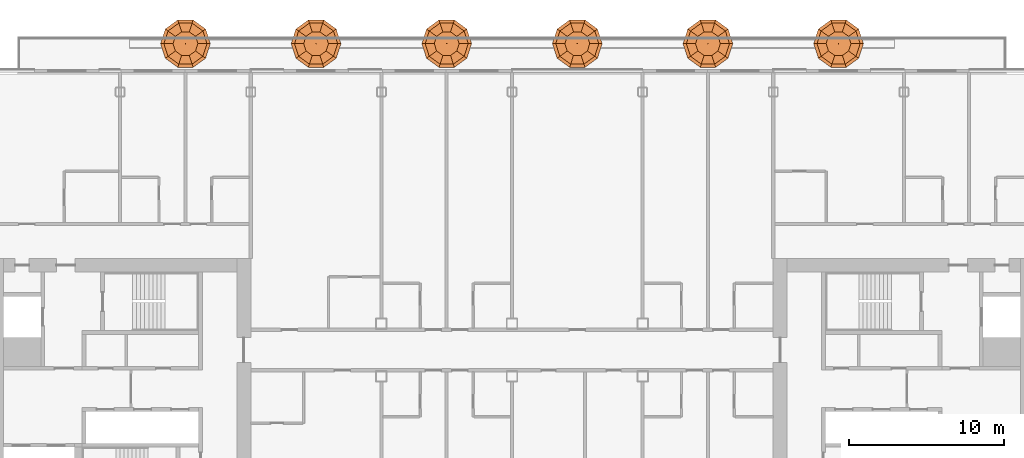
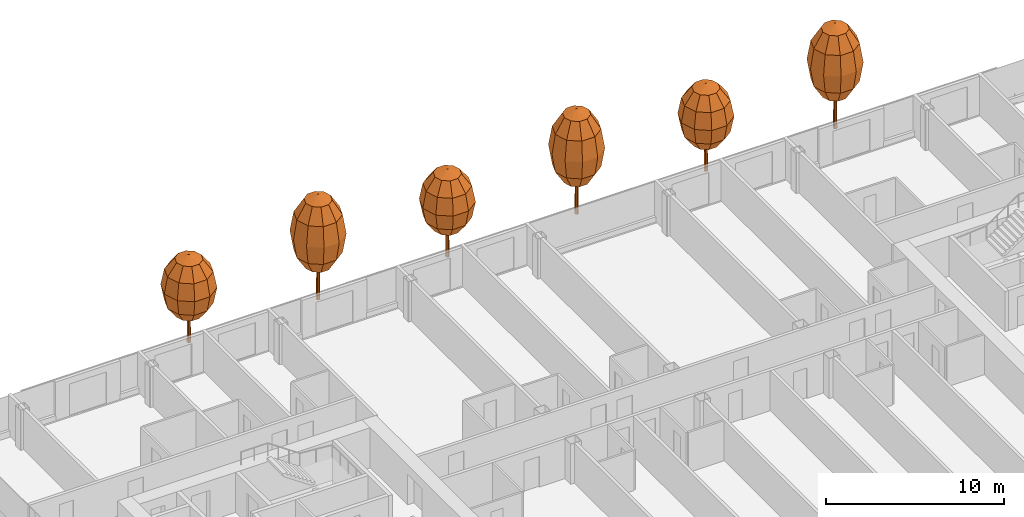
# One storey, part 28 of 28: 6 geographic elements.
"""IFC4 building model written with IfcOpenShell, lengths in metres."""

from ifc_helpers import new_model, si_unit, direction, frame, origin, place, context, subcontext, project, spatial, triangles, material, type_object, element, save


model = new_model("IFC4")

# Units and contexts
model_context = context("Model", 3, precision=1e-05, world=origin(), true_north=direction((0.0, 1.0)))
body_context = subcontext(model_context, "Body", "Model", "MODEL_VIEW")
ifc_project = project(units=[si_unit("LENGTHUNIT", "METRE"), si_unit("AREAUNIT", "SQUARE_METRE"), si_unit("VOLUMEUNIT", "CUBIC_METRE"), si_unit("PLANEANGLEUNIT", "RADIAN"), si_unit("MASSUNIT", "GRAM", prefix="KILO")], contexts=[model_context])

# Site, building, storey
site_placement = place(None, origin())
site = spatial("IfcSite", under=ifc_project, at=site_placement, CompositionType="ELEMENT")
building_placement = place(site_placement, origin())
building = spatial("IfcBuilding", under=site, at=building_placement, Name="Hakoniwa Tower and Hamabe Station Hall", CompositionType="ELEMENT")
storey_placement = place(building_placement, frame((0.0, 0.0, 193.0)))
storey = spatial("IfcBuildingStorey", under=building, at=storey_placement, Name="L54", CompositionType="ELEMENT", Elevation=193.0)

# Geographic elements
ifc_material_1 = material(Name="Tree foliage")
geographic_element_type_1 = type_object("IfcGeographicElementType", Name="Japanese maple 7.2 m", PredefinedType="USERDEFINED", material=ifc_material_1)
geographic_element_1_placement = place(storey_placement, frame((-12.60009765625, 22.199951171875, 0.89990234375)))
element("IfcGeographicElement", 1, at=geographic_element_1_placement, inside=storey, type_object=geographic_element_type_1, Name="Japanese maple 7-2 m", ObjectType="TREE", PredefinedType="USERDEFINED", context=body_context, shape_type="Tessellation", body=[
    triangles([(0.125, 0.0, 0.0), (0.08837890625, 0.08837890625, 0.0), (0.0, 0.125, 0.0), (-0.08837890625, 0.08837890625, 0.0), (-0.125, 0.0, 0.0), (-0.08837890625, -0.08837890625, 0.0), (0.0, -0.125, 0.0), (0.08837890625, -0.08837890625, 0.0), (0.074951171875, 0.0, 4.348876953125), (0.052978515625, 0.052978515625, 4.348876953125), (0.0, 0.074951171875, 4.348876953125), (-0.052978515625, 0.052978515625, 4.348876953125), (-0.074951171875, 0.0, 4.348876953125), (-0.052978515625, -0.052978515625, 4.348876953125), (0.0, -0.074951171875, 4.348876953125), (0.052978515625, -0.052978515625, 4.348876953125), (0.0, 0.0, 0.0), (0.0, 0.0, 4.348876953125)], [[1, 2, 10], [1, 10, 9], [17, 2, 1], [18, 9, 10], [2, 3, 11], [2, 11, 10], [17, 3, 2], [18, 10, 11], [3, 4, 12], [3, 12, 11], [17, 4, 3], [18, 11, 12], [4, 5, 13], [4, 13, 12], [17, 5, 4], [18, 12, 13], [5, 6, 14], [5, 14, 13], [17, 6, 5], [18, 13, 14], [6, 7, 15], [6, 15, 14], [17, 7, 6], [18, 14, 15], [7, 8, 16], [7, 16, 15], [17, 8, 7], [18, 15, 16], [8, 1, 9], [8, 9, 16], [17, 1, 8], [18, 16, 9]], closed=True),
    triangles([(0.0, 0.0, 2.015869140625), (0.800048828125, 0.0, 2.36328125), (0.647216796875, 0.47021484375, 2.36328125), (0.247314453125, 0.7607421875, 2.36328125), (-0.247314453125, 0.7607421875, 2.36328125), (-0.647216796875, 0.47021484375, 2.36328125), (-0.800048828125, 0.0, 2.36328125), (-0.647216796875, -0.47021484375, 2.36328125), (-0.247314453125, -0.7607421875, 2.36328125), (0.247314453125, -0.7607421875, 2.36328125), (0.647216796875, -0.47021484375, 2.36328125), (1.385498046875, 0.0, 3.31201171875), (1.12109375, 0.814453125, 3.31201171875), (0.42822265625, 1.31787109375, 3.31201171875), (-0.42822265625, 1.31787109375, 3.31201171875), (-1.12109375, 0.814453125, 3.31201171875), (-1.385498046875, 0.0, 3.31201171875), (-1.12109375, -0.814453125, 3.31201171875), (-0.42822265625, -1.31787109375, 3.31201171875), (0.42822265625, -1.31787109375, 3.31201171875), (1.12109375, -0.814453125, 3.31201171875), (1.60009765625, 0.0, 4.60791015625), (1.29443359375, 0.9404296875, 4.60791015625), (0.494384765625, 1.521728515625, 4.60791015625), (-0.494384765625, 1.521728515625, 4.60791015625), (-1.29443359375, 0.9404296875, 4.60791015625), (-1.60009765625, 0.0, 4.60791015625), (-1.29443359375, -0.9404296875, 4.60791015625), (-0.494384765625, -1.521728515625, 4.60791015625), (0.494384765625, -1.521728515625, 4.60791015625), (1.29443359375, -0.9404296875, 4.60791015625), (1.385498046875, 0.0, 5.904052734375), (1.12109375, 0.814453125, 5.904052734375), (0.42822265625, 1.31787109375, 5.904052734375), (-0.42822265625, 1.31787109375, 5.904052734375), (-1.12109375, 0.814453125, 5.904052734375), (-1.385498046875, 0.0, 5.904052734375), (-1.12109375, -0.814453125, 5.904052734375), (-0.42822265625, -1.31787109375, 5.904052734375), (0.42822265625, -1.31787109375, 5.904052734375), (1.12109375, -0.814453125, 5.904052734375), (0.800048828125, 0.0, 6.852783203125), (0.647216796875, 0.47021484375, 6.852783203125), (0.247314453125, 0.7607421875, 6.852783203125), (-0.247314453125, 0.7607421875, 6.852783203125), (-0.647216796875, 0.47021484375, 6.852783203125), (-0.800048828125, 0.0, 6.852783203125), (-0.647216796875, -0.47021484375, 6.852783203125), (-0.247314453125, -0.7607421875, 6.852783203125), (0.247314453125, -0.7607421875, 6.852783203125), (0.647216796875, -0.47021484375, 6.852783203125), (0.0, 0.0, 7.199951171875)], [[1, 3, 2], [1, 4, 3], [1, 5, 4], [1, 6, 5], [1, 7, 6], [1, 8, 7], [1, 9, 8], [1, 10, 9], [1, 11, 10], [1, 2, 11], [2, 3, 13], [2, 13, 12], [3, 4, 14], [3, 14, 13], [4, 5, 15], [4, 15, 14], [5, 6, 16], [5, 16, 15], [6, 7, 17], [6, 17, 16], [7, 8, 18], [7, 18, 17], [8, 9, 19], [8, 19, 18], [9, 10, 20], [9, 20, 19], [10, 11, 21], [10, 21, 20], [11, 2, 12], [11, 12, 21], [12, 13, 23], [12, 23, 22], [13, 14, 24], [13, 24, 23], [14, 15, 25], [14, 25, 24], [15, 16, 26], [15, 26, 25], [16, 17, 27], [16, 27, 26], [17, 18, 28], [17, 28, 27], [18, 19, 29], [18, 29, 28], [19, 20, 30], [19, 30, 29], [20, 21, 31], [20, 31, 30], [21, 12, 22], [21, 22, 31], [22, 23, 33], [22, 33, 32], [23, 24, 34], [23, 34, 33], [24, 25, 35], [24, 35, 34], [25, 26, 36], [25, 36, 35], [26, 27, 37], [26, 37, 36], [27, 28, 38], [27, 38, 37], [28, 29, 39], [28, 39, 38], [29, 30, 40], [29, 40, 39], [30, 31, 41], [30, 41, 40], [31, 22, 32], [31, 32, 41], [32, 33, 43], [32, 43, 42], [33, 34, 44], [33, 44, 43], [34, 35, 45], [34, 45, 44], [35, 36, 46], [35, 46, 45], [36, 37, 47], [36, 47, 46], [37, 38, 48], [37, 48, 47], [38, 39, 49], [38, 49, 48], [39, 40, 50], [39, 50, 49], [40, 41, 51], [40, 51, 50], [41, 32, 42], [41, 42, 51], [52, 42, 43], [52, 43, 44], [52, 44, 45], [52, 45, 46], [52, 46, 47], [52, 47, 48], [52, 48, 49], [52, 49, 50], [52, 50, 51], [52, 51, 42]], closed=True),
])
geographic_element_2_placement = place(storey_placement, frame((4.199951171875, 22.199951171875, 0.89990234375)))
element("IfcGeographicElement", 2, at=geographic_element_2_placement, inside=storey, type_object=geographic_element_type_1, Name="Japanese maple 7-2 m", ObjectType="TREE", PredefinedType="USERDEFINED", context=body_context, shape_type="Tessellation", body=[
    triangles([(0.125, 0.0, 0.0), (0.08837890625, 0.08837890625, 0.0), (0.0, 0.125, 0.0), (-0.08837890625, 0.08837890625, 0.0), (-0.125, 0.0, 0.0), (-0.08837890625, -0.08837890625, 0.0), (0.0, -0.125, 0.0), (0.08837890625, -0.08837890625, 0.0), (0.074951171875, 0.0, 4.348876953125), (0.052978515625, 0.052978515625, 4.348876953125), (0.0, 0.074951171875, 4.348876953125), (-0.052978515625, 0.052978515625, 4.348876953125), (-0.074951171875, 0.0, 4.348876953125), (-0.052978515625, -0.052978515625, 4.348876953125), (0.0, -0.074951171875, 4.348876953125), (0.052978515625, -0.052978515625, 4.348876953125), (0.0, 0.0, 0.0), (0.0, 0.0, 4.348876953125)], [[1, 2, 10], [1, 10, 9], [17, 2, 1], [18, 9, 10], [2, 3, 11], [2, 11, 10], [17, 3, 2], [18, 10, 11], [3, 4, 12], [3, 12, 11], [17, 4, 3], [18, 11, 12], [4, 5, 13], [4, 13, 12], [17, 5, 4], [18, 12, 13], [5, 6, 14], [5, 14, 13], [17, 6, 5], [18, 13, 14], [6, 7, 15], [6, 15, 14], [17, 7, 6], [18, 14, 15], [7, 8, 16], [7, 16, 15], [17, 8, 7], [18, 15, 16], [8, 1, 9], [8, 9, 16], [17, 1, 8], [18, 16, 9]], closed=True),
    triangles([(0.0, 0.0, 2.015869140625), (0.800048828125, 0.0, 2.36328125), (0.647216796875, 0.47021484375, 2.36328125), (0.247314453125, 0.7607421875, 2.36328125), (-0.247314453125, 0.7607421875, 2.36328125), (-0.647216796875, 0.47021484375, 2.36328125), (-0.800048828125, 0.0, 2.36328125), (-0.647216796875, -0.47021484375, 2.36328125), (-0.247314453125, -0.7607421875, 2.36328125), (0.247314453125, -0.7607421875, 2.36328125), (0.647216796875, -0.47021484375, 2.36328125), (1.385498046875, 0.0, 3.31201171875), (1.12109375, 0.814453125, 3.31201171875), (0.42822265625, 1.31787109375, 3.31201171875), (-0.42822265625, 1.31787109375, 3.31201171875), (-1.12109375, 0.814453125, 3.31201171875), (-1.385498046875, 0.0, 3.31201171875), (-1.12109375, -0.814453125, 3.31201171875), (-0.42822265625, -1.31787109375, 3.31201171875), (0.42822265625, -1.31787109375, 3.31201171875), (1.12109375, -0.814453125, 3.31201171875), (1.60009765625, 0.0, 4.60791015625), (1.29443359375, 0.9404296875, 4.60791015625), (0.494384765625, 1.521728515625, 4.60791015625), (-0.494384765625, 1.521728515625, 4.60791015625), (-1.29443359375, 0.9404296875, 4.60791015625), (-1.60009765625, 0.0, 4.60791015625), (-1.29443359375, -0.9404296875, 4.60791015625), (-0.494384765625, -1.521728515625, 4.60791015625), (0.494384765625, -1.521728515625, 4.60791015625), (1.29443359375, -0.9404296875, 4.60791015625), (1.385498046875, 0.0, 5.904052734375), (1.12109375, 0.814453125, 5.904052734375), (0.42822265625, 1.31787109375, 5.904052734375), (-0.42822265625, 1.31787109375, 5.904052734375), (-1.12109375, 0.814453125, 5.904052734375), (-1.385498046875, 0.0, 5.904052734375), (-1.12109375, -0.814453125, 5.904052734375), (-0.42822265625, -1.31787109375, 5.904052734375), (0.42822265625, -1.31787109375, 5.904052734375), (1.12109375, -0.814453125, 5.904052734375), (0.800048828125, 0.0, 6.852783203125), (0.647216796875, 0.47021484375, 6.852783203125), (0.247314453125, 0.7607421875, 6.852783203125), (-0.247314453125, 0.7607421875, 6.852783203125), (-0.647216796875, 0.47021484375, 6.852783203125), (-0.800048828125, 0.0, 6.852783203125), (-0.647216796875, -0.47021484375, 6.852783203125), (-0.247314453125, -0.7607421875, 6.852783203125), (0.247314453125, -0.7607421875, 6.852783203125), (0.647216796875, -0.47021484375, 6.852783203125), (0.0, 0.0, 7.199951171875)], [[1, 3, 2], [1, 4, 3], [1, 5, 4], [1, 6, 5], [1, 7, 6], [1, 8, 7], [1, 9, 8], [1, 10, 9], [1, 11, 10], [1, 2, 11], [2, 3, 13], [2, 13, 12], [3, 4, 14], [3, 14, 13], [4, 5, 15], [4, 15, 14], [5, 6, 16], [5, 16, 15], [6, 7, 17], [6, 17, 16], [7, 8, 18], [7, 18, 17], [8, 9, 19], [8, 19, 18], [9, 10, 20], [9, 20, 19], [10, 11, 21], [10, 21, 20], [11, 2, 12], [11, 12, 21], [12, 13, 23], [12, 23, 22], [13, 14, 24], [13, 24, 23], [14, 15, 25], [14, 25, 24], [15, 16, 26], [15, 26, 25], [16, 17, 27], [16, 27, 26], [17, 18, 28], [17, 28, 27], [18, 19, 29], [18, 29, 28], [19, 20, 30], [19, 30, 29], [20, 21, 31], [20, 31, 30], [21, 12, 22], [21, 22, 31], [22, 23, 33], [22, 33, 32], [23, 24, 34], [23, 34, 33], [24, 25, 35], [24, 35, 34], [25, 26, 36], [25, 36, 35], [26, 27, 37], [26, 37, 36], [27, 28, 38], [27, 38, 37], [28, 29, 39], [28, 39, 38], [29, 30, 40], [29, 40, 39], [30, 31, 41], [30, 41, 40], [31, 22, 32], [31, 32, 41], [32, 33, 43], [32, 43, 42], [33, 34, 44], [33, 44, 43], [34, 35, 45], [34, 45, 44], [35, 36, 46], [35, 46, 45], [36, 37, 47], [36, 47, 46], [37, 38, 48], [37, 48, 47], [38, 39, 49], [38, 49, 48], [39, 40, 50], [39, 50, 49], [40, 41, 51], [40, 51, 50], [41, 32, 42], [41, 42, 51], [52, 42, 43], [52, 43, 44], [52, 44, 45], [52, 45, 46], [52, 46, 47], [52, 47, 48], [52, 48, 49], [52, 49, 50], [52, 50, 51], [52, 51, 42]], closed=True),
])
geographic_element_3_placement = place(storey_placement, frame((21.0, 22.199951171875, 0.89990234375)))
element("IfcGeographicElement", 3, at=geographic_element_3_placement, inside=storey, type_object=geographic_element_type_1, Name="Japanese maple 7-2 m", ObjectType="TREE", PredefinedType="USERDEFINED", context=body_context, shape_type="Tessellation", body=[
    triangles([(0.125, 0.0, 0.0), (0.08837890625, 0.08837890625, 0.0), (0.0, 0.125, 0.0), (-0.08837890625, 0.08837890625, 0.0), (-0.125, 0.0, 0.0), (-0.08837890625, -0.08837890625, 0.0), (0.0, -0.125, 0.0), (0.08837890625, -0.08837890625, 0.0), (0.074951171875, 0.0, 4.348876953125), (0.052978515625, 0.052978515625, 4.348876953125), (0.0, 0.074951171875, 4.348876953125), (-0.052978515625, 0.052978515625, 4.348876953125), (-0.074951171875, 0.0, 4.348876953125), (-0.052978515625, -0.052978515625, 4.348876953125), (0.0, -0.074951171875, 4.348876953125), (0.052978515625, -0.052978515625, 4.348876953125), (0.0, 0.0, 0.0), (0.0, 0.0, 4.348876953125)], [[1, 2, 10], [1, 10, 9], [17, 2, 1], [18, 9, 10], [2, 3, 11], [2, 11, 10], [17, 3, 2], [18, 10, 11], [3, 4, 12], [3, 12, 11], [17, 4, 3], [18, 11, 12], [4, 5, 13], [4, 13, 12], [17, 5, 4], [18, 12, 13], [5, 6, 14], [5, 14, 13], [17, 6, 5], [18, 13, 14], [6, 7, 15], [6, 15, 14], [17, 7, 6], [18, 14, 15], [7, 8, 16], [7, 16, 15], [17, 8, 7], [18, 15, 16], [8, 1, 9], [8, 9, 16], [17, 1, 8], [18, 16, 9]], closed=True),
    triangles([(0.0, 0.0, 2.015869140625), (0.800048828125, 0.0, 2.36328125), (0.647216796875, 0.47021484375, 2.36328125), (0.247314453125, 0.7607421875, 2.36328125), (-0.247314453125, 0.7607421875, 2.36328125), (-0.647216796875, 0.47021484375, 2.36328125), (-0.800048828125, 0.0, 2.36328125), (-0.647216796875, -0.47021484375, 2.36328125), (-0.247314453125, -0.7607421875, 2.36328125), (0.247314453125, -0.7607421875, 2.36328125), (0.647216796875, -0.47021484375, 2.36328125), (1.385498046875, 0.0, 3.31201171875), (1.12109375, 0.814453125, 3.31201171875), (0.42822265625, 1.31787109375, 3.31201171875), (-0.42822265625, 1.31787109375, 3.31201171875), (-1.12109375, 0.814453125, 3.31201171875), (-1.385498046875, 0.0, 3.31201171875), (-1.12109375, -0.814453125, 3.31201171875), (-0.42822265625, -1.31787109375, 3.31201171875), (0.42822265625, -1.31787109375, 3.31201171875), (1.12109375, -0.814453125, 3.31201171875), (1.60009765625, 0.0, 4.60791015625), (1.29443359375, 0.9404296875, 4.60791015625), (0.494384765625, 1.521728515625, 4.60791015625), (-0.494384765625, 1.521728515625, 4.60791015625), (-1.29443359375, 0.9404296875, 4.60791015625), (-1.60009765625, 0.0, 4.60791015625), (-1.29443359375, -0.9404296875, 4.60791015625), (-0.494384765625, -1.521728515625, 4.60791015625), (0.494384765625, -1.521728515625, 4.60791015625), (1.29443359375, -0.9404296875, 4.60791015625), (1.385498046875, 0.0, 5.904052734375), (1.12109375, 0.814453125, 5.904052734375), (0.42822265625, 1.31787109375, 5.904052734375), (-0.42822265625, 1.31787109375, 5.904052734375), (-1.12109375, 0.814453125, 5.904052734375), (-1.385498046875, 0.0, 5.904052734375), (-1.12109375, -0.814453125, 5.904052734375), (-0.42822265625, -1.31787109375, 5.904052734375), (0.42822265625, -1.31787109375, 5.904052734375), (1.12109375, -0.814453125, 5.904052734375), (0.800048828125, 0.0, 6.852783203125), (0.647216796875, 0.47021484375, 6.852783203125), (0.247314453125, 0.7607421875, 6.852783203125), (-0.247314453125, 0.7607421875, 6.852783203125), (-0.647216796875, 0.47021484375, 6.852783203125), (-0.800048828125, 0.0, 6.852783203125), (-0.647216796875, -0.47021484375, 6.852783203125), (-0.247314453125, -0.7607421875, 6.852783203125), (0.247314453125, -0.7607421875, 6.852783203125), (0.647216796875, -0.47021484375, 6.852783203125), (0.0, 0.0, 7.199951171875)], [[1, 3, 2], [1, 4, 3], [1, 5, 4], [1, 6, 5], [1, 7, 6], [1, 8, 7], [1, 9, 8], [1, 10, 9], [1, 11, 10], [1, 2, 11], [2, 3, 13], [2, 13, 12], [3, 4, 14], [3, 14, 13], [4, 5, 15], [4, 15, 14], [5, 6, 16], [5, 16, 15], [6, 7, 17], [6, 17, 16], [7, 8, 18], [7, 18, 17], [8, 9, 19], [8, 19, 18], [9, 10, 20], [9, 20, 19], [10, 11, 21], [10, 21, 20], [11, 2, 12], [11, 12, 21], [12, 13, 23], [12, 23, 22], [13, 14, 24], [13, 24, 23], [14, 15, 25], [14, 25, 24], [15, 16, 26], [15, 26, 25], [16, 17, 27], [16, 27, 26], [17, 18, 28], [17, 28, 27], [18, 19, 29], [18, 29, 28], [19, 20, 30], [19, 30, 29], [20, 21, 31], [20, 31, 30], [21, 12, 22], [21, 22, 31], [22, 23, 33], [22, 33, 32], [23, 24, 34], [23, 34, 33], [24, 25, 35], [24, 35, 34], [25, 26, 36], [25, 36, 35], [26, 27, 37], [26, 37, 36], [27, 28, 38], [27, 38, 37], [28, 29, 39], [28, 39, 38], [29, 30, 40], [29, 40, 39], [30, 31, 41], [30, 41, 40], [31, 22, 32], [31, 32, 41], [32, 33, 43], [32, 43, 42], [33, 34, 44], [33, 44, 43], [34, 35, 45], [34, 45, 44], [35, 36, 46], [35, 46, 45], [36, 37, 47], [36, 47, 46], [37, 38, 48], [37, 48, 47], [38, 39, 49], [38, 49, 48], [39, 40, 50], [39, 50, 49], [40, 41, 51], [40, 51, 50], [41, 32, 42], [41, 42, 51], [52, 42, 43], [52, 43, 44], [52, 44, 45], [52, 45, 46], [52, 46, 47], [52, 47, 48], [52, 48, 49], [52, 49, 50], [52, 50, 51], [52, 51, 42]], closed=True),
])
ifc_material_2 = material(Name="Tree foliage")
geographic_element_type_2 = type_object("IfcGeographicElementType", Name="Osmanthus 6.0 m", PredefinedType="USERDEFINED", material=ifc_material_2)
geographic_element_4_placement = place(storey_placement, frame((-21.0, 22.199951171875, 0.89990234375)))
element("IfcGeographicElement", 4, at=geographic_element_4_placement, inside=storey, type_object=geographic_element_type_2, Name="Osmanthus 6-0 m", ObjectType="TREE", PredefinedType="USERDEFINED", context=body_context, shape_type="Tessellation", body=[
    triangles([(0.125, 0.0, 0.0), (0.08837890625, 0.08837890625, 0.0), (0.0, 0.125, 0.0), (-0.08837890625, 0.08837890625, 0.0), (-0.125, 0.0, 0.0), (-0.08837890625, -0.08837890625, 0.0), (0.0, -0.125, 0.0), (0.08837890625, -0.08837890625, 0.0), (0.074951171875, 0.0, 3.6240234375), (0.052978515625, 0.052978515625, 3.6240234375), (0.0, 0.074951171875, 3.6240234375), (-0.052978515625, 0.052978515625, 3.6240234375), (-0.074951171875, 0.0, 3.6240234375), (-0.052978515625, -0.052978515625, 3.6240234375), (0.0, -0.074951171875, 3.6240234375), (0.052978515625, -0.052978515625, 3.6240234375), (0.0, 0.0, 0.0), (0.0, 0.0, 3.6240234375)], [[1, 2, 10], [1, 10, 9], [17, 2, 1], [18, 9, 10], [2, 3, 11], [2, 11, 10], [17, 3, 2], [18, 10, 11], [3, 4, 12], [3, 12, 11], [17, 4, 3], [18, 11, 12], [4, 5, 13], [4, 13, 12], [17, 5, 4], [18, 12, 13], [5, 6, 14], [5, 14, 13], [17, 6, 5], [18, 13, 14], [6, 7, 15], [6, 15, 14], [17, 7, 6], [18, 14, 15], [7, 8, 16], [7, 16, 15], [17, 8, 7], [18, 15, 16], [8, 1, 9], [8, 9, 16], [17, 1, 8], [18, 16, 9]], closed=True),
    triangles([(0.0, 0.0, 1.679931640625), (0.800048828125, 0.0, 1.969482421875), (0.647216796875, 0.47021484375, 1.969482421875), (0.247314453125, 0.7607421875, 1.969482421875), (-0.247314453125, 0.7607421875, 1.969482421875), (-0.647216796875, 0.47021484375, 1.969482421875), (-0.800048828125, 0.0, 1.969482421875), (-0.647216796875, -0.47021484375, 1.969482421875), (-0.247314453125, -0.7607421875, 1.969482421875), (0.247314453125, -0.7607421875, 1.969482421875), (0.647216796875, -0.47021484375, 1.969482421875), (1.385498046875, 0.0, 2.760009765625), (1.12109375, 0.814453125, 2.760009765625), (0.42822265625, 1.31787109375, 2.760009765625), (-0.42822265625, 1.31787109375, 2.760009765625), (-1.12109375, 0.814453125, 2.760009765625), (-1.385498046875, 0.0, 2.760009765625), (-1.12109375, -0.814453125, 2.760009765625), (-0.42822265625, -1.31787109375, 2.760009765625), (0.42822265625, -1.31787109375, 2.760009765625), (1.12109375, -0.814453125, 2.760009765625), (1.60009765625, 0.0, 3.840087890625), (1.29443359375, 0.9404296875, 3.840087890625), (0.494384765625, 1.521728515625, 3.840087890625), (-0.494384765625, 1.521728515625, 3.840087890625), (-1.29443359375, 0.9404296875, 3.840087890625), (-1.60009765625, 0.0, 3.840087890625), (-1.29443359375, -0.9404296875, 3.840087890625), (-0.494384765625, -1.521728515625, 3.840087890625), (0.494384765625, -1.521728515625, 3.840087890625), (1.29443359375, -0.9404296875, 3.840087890625), (1.385498046875, 0.0, 4.919921875), (1.12109375, 0.814453125, 4.919921875), (0.42822265625, 1.31787109375, 4.919921875), (-0.42822265625, 1.31787109375, 4.919921875), (-1.12109375, 0.814453125, 4.919921875), (-1.385498046875, 0.0, 4.919921875), (-1.12109375, -0.814453125, 4.919921875), (-0.42822265625, -1.31787109375, 4.919921875), (0.42822265625, -1.31787109375, 4.919921875), (1.12109375, -0.814453125, 4.919921875), (0.800048828125, 0.0, 5.710693359375), (0.647216796875, 0.47021484375, 5.710693359375), (0.247314453125, 0.7607421875, 5.710693359375), (-0.247314453125, 0.7607421875, 5.710693359375), (-0.647216796875, 0.47021484375, 5.710693359375), (-0.800048828125, 0.0, 5.710693359375), (-0.647216796875, -0.47021484375, 5.710693359375), (-0.247314453125, -0.7607421875, 5.710693359375), (0.247314453125, -0.7607421875, 5.710693359375), (0.647216796875, -0.47021484375, 5.710693359375), (0.0, 0.0, 6.0)], [[1, 3, 2], [1, 4, 3], [1, 5, 4], [1, 6, 5], [1, 7, 6], [1, 8, 7], [1, 9, 8], [1, 10, 9], [1, 11, 10], [1, 2, 11], [2, 3, 13], [2, 13, 12], [3, 4, 14], [3, 14, 13], [4, 5, 15], [4, 15, 14], [5, 6, 16], [5, 16, 15], [6, 7, 17], [6, 17, 16], [7, 8, 18], [7, 18, 17], [8, 9, 19], [8, 19, 18], [9, 10, 20], [9, 20, 19], [10, 11, 21], [10, 21, 20], [11, 2, 12], [11, 12, 21], [12, 13, 23], [12, 23, 22], [13, 14, 24], [13, 24, 23], [14, 15, 25], [14, 25, 24], [15, 16, 26], [15, 26, 25], [16, 17, 27], [16, 27, 26], [17, 18, 28], [17, 28, 27], [18, 19, 29], [18, 29, 28], [19, 20, 30], [19, 30, 29], [20, 21, 31], [20, 31, 30], [21, 12, 22], [21, 22, 31], [22, 23, 33], [22, 33, 32], [23, 24, 34], [23, 34, 33], [24, 25, 35], [24, 35, 34], [25, 26, 36], [25, 36, 35], [26, 27, 37], [26, 37, 36], [27, 28, 38], [27, 38, 37], [28, 29, 39], [28, 39, 38], [29, 30, 40], [29, 40, 39], [30, 31, 41], [30, 41, 40], [31, 22, 32], [31, 32, 41], [32, 33, 43], [32, 43, 42], [33, 34, 44], [33, 44, 43], [34, 35, 45], [34, 45, 44], [35, 36, 46], [35, 46, 45], [36, 37, 47], [36, 47, 46], [37, 38, 48], [37, 48, 47], [38, 39, 49], [38, 49, 48], [39, 40, 50], [39, 50, 49], [40, 41, 51], [40, 51, 50], [41, 32, 42], [41, 42, 51], [52, 42, 43], [52, 43, 44], [52, 44, 45], [52, 45, 46], [52, 46, 47], [52, 47, 48], [52, 48, 49], [52, 49, 50], [52, 50, 51], [52, 51, 42]], closed=True),
])
geographic_element_5_placement = place(storey_placement, frame((-4.199951171875, 22.199951171875, 0.89990234375)))
element("IfcGeographicElement", 5, at=geographic_element_5_placement, inside=storey, type_object=geographic_element_type_2, Name="Osmanthus 6-0 m", ObjectType="TREE", PredefinedType="USERDEFINED", context=body_context, shape_type="Tessellation", body=[
    triangles([(0.125, 0.0, 0.0), (0.08837890625, 0.08837890625, 0.0), (0.0, 0.125, 0.0), (-0.08837890625, 0.08837890625, 0.0), (-0.125, 0.0, 0.0), (-0.08837890625, -0.08837890625, 0.0), (0.0, -0.125, 0.0), (0.08837890625, -0.08837890625, 0.0), (0.074951171875, 0.0, 3.6240234375), (0.052978515625, 0.052978515625, 3.6240234375), (0.0, 0.074951171875, 3.6240234375), (-0.052978515625, 0.052978515625, 3.6240234375), (-0.074951171875, 0.0, 3.6240234375), (-0.052978515625, -0.052978515625, 3.6240234375), (0.0, -0.074951171875, 3.6240234375), (0.052978515625, -0.052978515625, 3.6240234375), (0.0, 0.0, 0.0), (0.0, 0.0, 3.6240234375)], [[1, 2, 10], [1, 10, 9], [17, 2, 1], [18, 9, 10], [2, 3, 11], [2, 11, 10], [17, 3, 2], [18, 10, 11], [3, 4, 12], [3, 12, 11], [17, 4, 3], [18, 11, 12], [4, 5, 13], [4, 13, 12], [17, 5, 4], [18, 12, 13], [5, 6, 14], [5, 14, 13], [17, 6, 5], [18, 13, 14], [6, 7, 15], [6, 15, 14], [17, 7, 6], [18, 14, 15], [7, 8, 16], [7, 16, 15], [17, 8, 7], [18, 15, 16], [8, 1, 9], [8, 9, 16], [17, 1, 8], [18, 16, 9]], closed=True),
    triangles([(0.0, 0.0, 1.679931640625), (0.800048828125, 0.0, 1.969482421875), (0.647216796875, 0.47021484375, 1.969482421875), (0.247314453125, 0.7607421875, 1.969482421875), (-0.247314453125, 0.7607421875, 1.969482421875), (-0.647216796875, 0.47021484375, 1.969482421875), (-0.800048828125, 0.0, 1.969482421875), (-0.647216796875, -0.47021484375, 1.969482421875), (-0.247314453125, -0.7607421875, 1.969482421875), (0.247314453125, -0.7607421875, 1.969482421875), (0.647216796875, -0.47021484375, 1.969482421875), (1.385498046875, 0.0, 2.760009765625), (1.12109375, 0.814453125, 2.760009765625), (0.42822265625, 1.31787109375, 2.760009765625), (-0.42822265625, 1.31787109375, 2.760009765625), (-1.12109375, 0.814453125, 2.760009765625), (-1.385498046875, 0.0, 2.760009765625), (-1.12109375, -0.814453125, 2.760009765625), (-0.42822265625, -1.31787109375, 2.760009765625), (0.42822265625, -1.31787109375, 2.760009765625), (1.12109375, -0.814453125, 2.760009765625), (1.60009765625, 0.0, 3.840087890625), (1.29443359375, 0.9404296875, 3.840087890625), (0.494384765625, 1.521728515625, 3.840087890625), (-0.494384765625, 1.521728515625, 3.840087890625), (-1.29443359375, 0.9404296875, 3.840087890625), (-1.60009765625, 0.0, 3.840087890625), (-1.29443359375, -0.9404296875, 3.840087890625), (-0.494384765625, -1.521728515625, 3.840087890625), (0.494384765625, -1.521728515625, 3.840087890625), (1.29443359375, -0.9404296875, 3.840087890625), (1.385498046875, 0.0, 4.919921875), (1.12109375, 0.814453125, 4.919921875), (0.42822265625, 1.31787109375, 4.919921875), (-0.42822265625, 1.31787109375, 4.919921875), (-1.12109375, 0.814453125, 4.919921875), (-1.385498046875, 0.0, 4.919921875), (-1.12109375, -0.814453125, 4.919921875), (-0.42822265625, -1.31787109375, 4.919921875), (0.42822265625, -1.31787109375, 4.919921875), (1.12109375, -0.814453125, 4.919921875), (0.800048828125, 0.0, 5.710693359375), (0.647216796875, 0.47021484375, 5.710693359375), (0.247314453125, 0.7607421875, 5.710693359375), (-0.247314453125, 0.7607421875, 5.710693359375), (-0.647216796875, 0.47021484375, 5.710693359375), (-0.800048828125, 0.0, 5.710693359375), (-0.647216796875, -0.47021484375, 5.710693359375), (-0.247314453125, -0.7607421875, 5.710693359375), (0.247314453125, -0.7607421875, 5.710693359375), (0.647216796875, -0.47021484375, 5.710693359375), (0.0, 0.0, 6.0)], [[1, 3, 2], [1, 4, 3], [1, 5, 4], [1, 6, 5], [1, 7, 6], [1, 8, 7], [1, 9, 8], [1, 10, 9], [1, 11, 10], [1, 2, 11], [2, 3, 13], [2, 13, 12], [3, 4, 14], [3, 14, 13], [4, 5, 15], [4, 15, 14], [5, 6, 16], [5, 16, 15], [6, 7, 17], [6, 17, 16], [7, 8, 18], [7, 18, 17], [8, 9, 19], [8, 19, 18], [9, 10, 20], [9, 20, 19], [10, 11, 21], [10, 21, 20], [11, 2, 12], [11, 12, 21], [12, 13, 23], [12, 23, 22], [13, 14, 24], [13, 24, 23], [14, 15, 25], [14, 25, 24], [15, 16, 26], [15, 26, 25], [16, 17, 27], [16, 27, 26], [17, 18, 28], [17, 28, 27], [18, 19, 29], [18, 29, 28], [19, 20, 30], [19, 30, 29], [20, 21, 31], [20, 31, 30], [21, 12, 22], [21, 22, 31], [22, 23, 33], [22, 33, 32], [23, 24, 34], [23, 34, 33], [24, 25, 35], [24, 35, 34], [25, 26, 36], [25, 36, 35], [26, 27, 37], [26, 37, 36], [27, 28, 38], [27, 38, 37], [28, 29, 39], [28, 39, 38], [29, 30, 40], [29, 40, 39], [30, 31, 41], [30, 41, 40], [31, 22, 32], [31, 32, 41], [32, 33, 43], [32, 43, 42], [33, 34, 44], [33, 44, 43], [34, 35, 45], [34, 45, 44], [35, 36, 46], [35, 46, 45], [36, 37, 47], [36, 47, 46], [37, 38, 48], [37, 48, 47], [38, 39, 49], [38, 49, 48], [39, 40, 50], [39, 50, 49], [40, 41, 51], [40, 51, 50], [41, 32, 42], [41, 42, 51], [52, 42, 43], [52, 43, 44], [52, 44, 45], [52, 45, 46], [52, 46, 47], [52, 47, 48], [52, 48, 49], [52, 49, 50], [52, 50, 51], [52, 51, 42]], closed=True),
])
geographic_element_6_placement = place(storey_placement, frame((12.60009765625, 22.199951171875, 0.89990234375)))
element("IfcGeographicElement", 6, at=geographic_element_6_placement, inside=storey, type_object=geographic_element_type_2, Name="Osmanthus 6-0 m", ObjectType="TREE", PredefinedType="USERDEFINED", context=body_context, shape_type="Tessellation", body=[
    triangles([(0.125, 0.0, 0.0), (0.08837890625, 0.08837890625, 0.0), (0.0, 0.125, 0.0), (-0.08837890625, 0.08837890625, 0.0), (-0.125, 0.0, 0.0), (-0.08837890625, -0.08837890625, 0.0), (0.0, -0.125, 0.0), (0.08837890625, -0.08837890625, 0.0), (0.074951171875, 0.0, 3.6240234375), (0.052978515625, 0.052978515625, 3.6240234375), (0.0, 0.074951171875, 3.6240234375), (-0.052978515625, 0.052978515625, 3.6240234375), (-0.074951171875, 0.0, 3.6240234375), (-0.052978515625, -0.052978515625, 3.6240234375), (0.0, -0.074951171875, 3.6240234375), (0.052978515625, -0.052978515625, 3.6240234375), (0.0, 0.0, 0.0), (0.0, 0.0, 3.6240234375)], [[1, 2, 10], [1, 10, 9], [17, 2, 1], [18, 9, 10], [2, 3, 11], [2, 11, 10], [17, 3, 2], [18, 10, 11], [3, 4, 12], [3, 12, 11], [17, 4, 3], [18, 11, 12], [4, 5, 13], [4, 13, 12], [17, 5, 4], [18, 12, 13], [5, 6, 14], [5, 14, 13], [17, 6, 5], [18, 13, 14], [6, 7, 15], [6, 15, 14], [17, 7, 6], [18, 14, 15], [7, 8, 16], [7, 16, 15], [17, 8, 7], [18, 15, 16], [8, 1, 9], [8, 9, 16], [17, 1, 8], [18, 16, 9]], closed=True),
    triangles([(0.0, 0.0, 1.679931640625), (0.800048828125, 0.0, 1.969482421875), (0.647216796875, 0.47021484375, 1.969482421875), (0.247314453125, 0.7607421875, 1.969482421875), (-0.247314453125, 0.7607421875, 1.969482421875), (-0.647216796875, 0.47021484375, 1.969482421875), (-0.800048828125, 0.0, 1.969482421875), (-0.647216796875, -0.47021484375, 1.969482421875), (-0.247314453125, -0.7607421875, 1.969482421875), (0.247314453125, -0.7607421875, 1.969482421875), (0.647216796875, -0.47021484375, 1.969482421875), (1.385498046875, 0.0, 2.760009765625), (1.12109375, 0.814453125, 2.760009765625), (0.42822265625, 1.31787109375, 2.760009765625), (-0.42822265625, 1.31787109375, 2.760009765625), (-1.12109375, 0.814453125, 2.760009765625), (-1.385498046875, 0.0, 2.760009765625), (-1.12109375, -0.814453125, 2.760009765625), (-0.42822265625, -1.31787109375, 2.760009765625), (0.42822265625, -1.31787109375, 2.760009765625), (1.12109375, -0.814453125, 2.760009765625), (1.60009765625, 0.0, 3.840087890625), (1.29443359375, 0.9404296875, 3.840087890625), (0.494384765625, 1.521728515625, 3.840087890625), (-0.494384765625, 1.521728515625, 3.840087890625), (-1.29443359375, 0.9404296875, 3.840087890625), (-1.60009765625, 0.0, 3.840087890625), (-1.29443359375, -0.9404296875, 3.840087890625), (-0.494384765625, -1.521728515625, 3.840087890625), (0.494384765625, -1.521728515625, 3.840087890625), (1.29443359375, -0.9404296875, 3.840087890625), (1.385498046875, 0.0, 4.919921875), (1.12109375, 0.814453125, 4.919921875), (0.42822265625, 1.31787109375, 4.919921875), (-0.42822265625, 1.31787109375, 4.919921875), (-1.12109375, 0.814453125, 4.919921875), (-1.385498046875, 0.0, 4.919921875), (-1.12109375, -0.814453125, 4.919921875), (-0.42822265625, -1.31787109375, 4.919921875), (0.42822265625, -1.31787109375, 4.919921875), (1.12109375, -0.814453125, 4.919921875), (0.800048828125, 0.0, 5.710693359375), (0.647216796875, 0.47021484375, 5.710693359375), (0.247314453125, 0.7607421875, 5.710693359375), (-0.247314453125, 0.7607421875, 5.710693359375), (-0.647216796875, 0.47021484375, 5.710693359375), (-0.800048828125, 0.0, 5.710693359375), (-0.647216796875, -0.47021484375, 5.710693359375), (-0.247314453125, -0.7607421875, 5.710693359375), (0.247314453125, -0.7607421875, 5.710693359375), (0.647216796875, -0.47021484375, 5.710693359375), (0.0, 0.0, 6.0)], [[1, 3, 2], [1, 4, 3], [1, 5, 4], [1, 6, 5], [1, 7, 6], [1, 8, 7], [1, 9, 8], [1, 10, 9], [1, 11, 10], [1, 2, 11], [2, 3, 13], [2, 13, 12], [3, 4, 14], [3, 14, 13], [4, 5, 15], [4, 15, 14], [5, 6, 16], [5, 16, 15], [6, 7, 17], [6, 17, 16], [7, 8, 18], [7, 18, 17], [8, 9, 19], [8, 19, 18], [9, 10, 20], [9, 20, 19], [10, 11, 21], [10, 21, 20], [11, 2, 12], [11, 12, 21], [12, 13, 23], [12, 23, 22], [13, 14, 24], [13, 24, 23], [14, 15, 25], [14, 25, 24], [15, 16, 26], [15, 26, 25], [16, 17, 27], [16, 27, 26], [17, 18, 28], [17, 28, 27], [18, 19, 29], [18, 29, 28], [19, 20, 30], [19, 30, 29], [20, 21, 31], [20, 31, 30], [21, 12, 22], [21, 22, 31], [22, 23, 33], [22, 33, 32], [23, 24, 34], [23, 34, 33], [24, 25, 35], [24, 35, 34], [25, 26, 36], [25, 36, 35], [26, 27, 37], [26, 37, 36], [27, 28, 38], [27, 38, 37], [28, 29, 39], [28, 39, 38], [29, 30, 40], [29, 40, 39], [30, 31, 41], [30, 41, 40], [31, 22, 32], [31, 32, 41], [32, 33, 43], [32, 43, 42], [33, 34, 44], [33, 44, 43], [34, 35, 45], [34, 45, 44], [35, 36, 46], [35, 46, 45], [36, 37, 47], [36, 47, 46], [37, 38, 48], [37, 48, 47], [38, 39, 49], [38, 49, 48], [39, 40, 50], [39, 50, 49], [40, 41, 51], [40, 51, 50], [41, 32, 42], [41, 42, 51], [52, 42, 43], [52, 43, 44], [52, 44, 45], [52, 45, 46], [52, 46, 47], [52, 47, 48], [52, 48, 49], [52, 49, 50], [52, 50, 51], [52, 51, 42]], closed=True),
])

save(model, "model.ifc")
